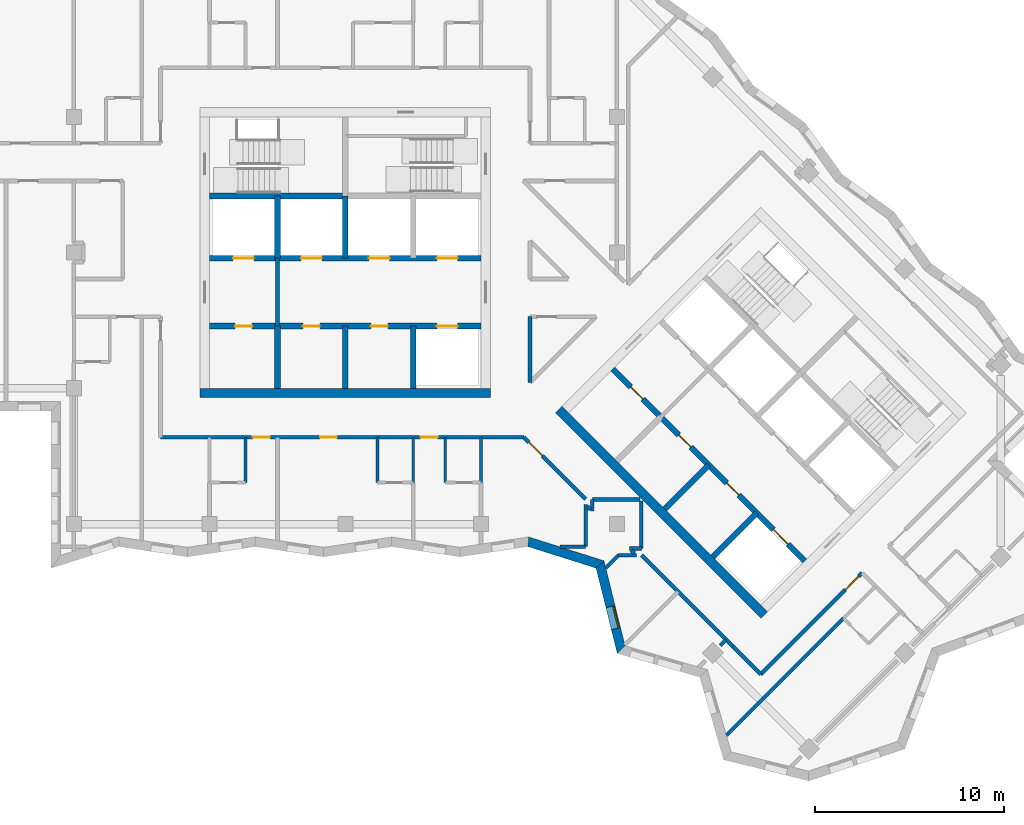
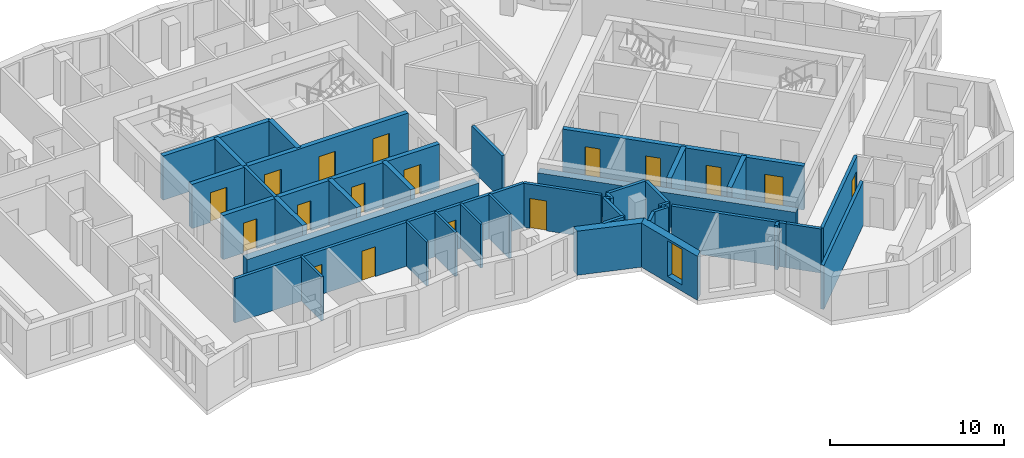
# One storey, part 4 of 13: 39 walls, 17 doors, 1 window, 18 openings.
"""IFC4 building model written with IfcOpenShell, lengths in metres."""

from ifc_helpers import new_model, si_unit, direction, frame, frame_2d, origin, place, context, subcontext, project, spatial, polyline, rectangle, outline, extrude, material, layer, layer_set, type_object, element, fill, save


model = new_model("IFC4")

# Units and contexts
model_context = context("Model", 3, precision=1e-05, world=origin(), true_north=direction((0.0, 1.0)))
body_context = subcontext(model_context, "Body", "Model", "MODEL_VIEW")
ifc_project = project(units=[si_unit("LENGTHUNIT", "METRE"), si_unit("AREAUNIT", "SQUARE_METRE"), si_unit("VOLUMEUNIT", "CUBIC_METRE"), si_unit("PLANEANGLEUNIT", "RADIAN"), si_unit("MASSUNIT", "GRAM", prefix="KILO")], contexts=[model_context])

# Site, building, storey
site_placement = place(None, origin())
site = spatial("IfcSite", under=ifc_project, at=site_placement, CompositionType="ELEMENT")
building_placement = place(site_placement, origin())
building = spatial("IfcBuilding", under=site, at=building_placement, Name="Windrow Commons", CompositionType="ELEMENT")
storey_placement = place(building_placement, frame((0.0, 0.0, 216.8)))
storey = spatial("IfcBuildingStorey", under=building, at=storey_placement, Name="L59", CompositionType="ELEMENT", Elevation=216.8)

# Wall
ifc_material_1 = material(Name="Brick masonry, red clay brick", Category="masonry")
ifc_layer_1 = layer(ifc_material_1, 0.5)
ifc_layer_set_1 = layer_set([ifc_layer_1], Name="Brick facade wall 500")
wall_type_1 = type_object("IfcWallType", Name="Brick facade wall 500", PredefinedType="SOLIDWALL", material=ifc_layer_set_1)
wall_1_placement = place(storey_placement, frame((74.5058, 42.2558, 0.0), z_axis=(0.0, 0.0, 1.0), x_axis=(0.9534878351, -0.3014314985, 0.0)))
element("IfcWall", 1, at=wall_1_placement, inside=storey, type_object=wall_type_1, Name="Brick facade wall L59 45", PredefinedType="SOLIDWALL", context=body_context, shape_type="SweptSolid", body=[
    extrude(outline(polyline([(0.0579, -0.25), (3.8464, -0.25), (4.1263, 0.25), (-0.0579, 0.25), (0.0579, -0.25)])), origin(), (0.0, 0.0, 1.0), 3.1),
])

# Wall, opening, window
wall_2_placement = place(storey_placement, frame((78.3067, 41.0542, 0.0), z_axis=(0.0, 0.0, 1.0), x_axis=(0.2414327988, -0.9704175409, 0.0)))
wall_2 = element("IfcWall", 2, at=wall_2_placement, inside=storey, type_object=wall_type_1, Name="Brick facade wall L59 46", PredefinedType="SOLIDWALL", context=body_context, shape_type="SweptSolid", body=[
    extrude(outline(polyline([(0.14, -0.25), (4.7958, -0.25), (4.5077, 0.25), (-0.14, 0.25), (0.14, -0.25)])), origin(), (0.0, 0.0, 1.0), 3.1),
])
opening_1_placement = place(wall_2_placement, frame((2.3031, 0.0, 0.45)))
opening_1 = element("IfcOpeningElement", 3, at=opening_1_placement, cuts=wall_2, Name="Opening W7E", PredefinedType="OPENING", context=body_context, shape_type="SweptSolid", body=[
    extrude(rectangle(XDim=1.2, YDim=2.5, at=frame_2d((0.6, 1.25))), frame((0.0, 0.26, 0.0), z_axis=(0.0, -1.0, 0.0), x_axis=(1.0, 0.0, 0.0)), (0.0, 0.0, 1.0), 0.52),
])
ifc_material_2 = material(Name="Clear float glass in anodised aluminium frame", Category="aluminium")
window_type = type_object("IfcWindowType", Name="Window W7 notch 1200x2500", PartitioningType="SINGLE_PANEL", PredefinedType="WINDOW", material=ifc_material_2)
window_placement = place(opening_1_placement, origin())
window = element("IfcWindow", 4, at=window_placement, inside=storey, type_object=window_type, Name="Window L59 46.1", OverallHeight=2.5, OverallWidth=1.2, PartitioningType="SINGLE_PANEL", PredefinedType="WINDOW", context=body_context, shape_type="SweptSolid", body=[
    extrude(rectangle(XDim=1.2, YDim=2.5, at=frame_2d((0.6, 1.25))), frame((0.0, 0.18, 0.0), z_axis=(0.0, -1.0, 0.0), x_axis=(1.0, 0.0, 0.0)), (0.0, 0.0, 1.0), 0.06),
])
fill(opening_1, window)

# Wall
ifc_material_3 = material(Name="Blockwork partition", Category="masonry")
ifc_layer_2 = layer(ifc_material_3, 0.2)
ifc_layer_set_2 = layer_set([ifc_layer_2], Name="Fire lobby partition 200")
wall_type_2 = type_object("IfcWallType", Name="Fire lobby partition 200", PredefinedType="PARTITIONING", material=ifc_layer_set_2)
wall_3_placement = place(storey_placement, frame((61.2, 53.7, 0.0), z_axis=(0.0, 0.0, 1.0), x_axis=(0.0, 1.0, 0.0)))
element("IfcWall", 5, at=wall_3_placement, inside=storey, type_object=wall_type_2, Name="W-core-lobby-A-L59", PredefinedType="PARTITIONING", context=body_context, shape_type="SweptSolid", body=[
    extrude(rectangle(XDim=3.6, YDim=0.2, at=frame_2d((1.8, 0.0))), origin(), (0.0, 0.0, 1.0), 3.1),
])

# Wall, openings, doors
ifc_material_4 = material(Name="Blockwork partition", Category="masonry")
ifc_layer_3 = layer(ifc_material_4, 0.2)
ifc_layer_set_3 = layer_set([ifc_layer_3], Name="IW-CORRIDOR-200")
wall_type_3 = type_object("IfcWallType", Name="IW-CORRIDOR-200", PredefinedType="PARTITIONING", material=ifc_layer_set_3)
wall_4_placement = place(storey_placement, frame((55.0, 47.8, 0.0), z_axis=(0.0, 0.0, 1.0), x_axis=(1.0, 0.0, 0.0)))
wall_4 = element("IfcWall", 6, at=wall_4_placement, inside=storey, type_object=wall_type_3, Name="W-L59-W001", PredefinedType="PARTITIONING", context=body_context, shape_type="SweptSolid", body=[
    extrude(rectangle(XDim=19.266, YDim=0.2, at=frame_2d((9.633, 0.0))), origin(), (0.0, 0.0, 1.0), 3.1),
])
opening_2_placement = place(wall_4_placement, frame((4.9, 0.0, 0.0)))
opening_2 = element("IfcOpeningElement", 7, at=opening_2_placement, cuts=wall_4, Name="Opening D109S", PredefinedType="OPENING", context=body_context, shape_type="SweptSolid", body=[
    extrude(rectangle(XDim=0.9, YDim=2.1, at=frame_2d((0.45, 1.05))), frame((0.0, 0.11, 0.0), z_axis=(0.0, -1.0, 0.0), x_axis=(1.0, 0.0, 0.0)), (0.0, 0.0, 1.0), 0.22),
])
opening_3_placement = place(wall_4_placement, frame((8.4566, 0.0, 0.0)))
opening_3 = element("IfcOpeningElement", 8, at=opening_3_placement, cuts=wall_4, Name="Opening D109F", PredefinedType="OPENING", context=body_context, shape_type="SweptSolid", body=[
    extrude(rectangle(XDim=0.9, YDim=2.1, at=frame_2d((0.45, 1.05))), frame((0.0, 0.11, 0.0), z_axis=(0.0, -1.0, 0.0), x_axis=(1.0, 0.0, 0.0)), (0.0, 0.0, 1.0), 0.22),
])
opening_4_placement = place(wall_4_placement, frame((13.8, 0.0, 0.0)))
opening_4 = element("IfcOpeningElement", 9, at=opening_4_placement, cuts=wall_4, Name="Opening D109S", PredefinedType="OPENING", context=body_context, shape_type="SweptSolid", body=[
    extrude(rectangle(XDim=0.9, YDim=2.1, at=frame_2d((0.45, 1.05))), frame((0.0, 0.11, 0.0), z_axis=(0.0, -1.0, 0.0), x_axis=(1.0, 0.0, 0.0)), (0.0, 0.0, 1.0), 0.22),
])
ifc_material_5 = material(Name="Timber door leaf", Category="wood")
door_type_1 = type_object("IfcDoorType", Name="DT-BEDROOM-900", OperationType="SINGLE_SWING_LEFT", PredefinedType="DOOR", material=ifc_material_5)
door_1_placement = place(opening_2_placement, origin())
door_1 = element("IfcDoor", 10, at=door_1_placement, inside=storey, type_object=door_type_1, Name="D-L59-D033", OperationType="SINGLE_SWING_LEFT", OverallHeight=2.1, OverallWidth=0.9, PredefinedType="DOOR", context=body_context, shape_type="SweptSolid", body=[
    extrude(rectangle(XDim=0.9, YDim=2.1, at=frame_2d((0.45, 1.05))), frame((0.0, 0.025, 0.0), z_axis=(0.0, -1.0, 0.0), x_axis=(1.0, 0.0, 0.0)), (0.0, 0.0, 1.0), 0.05),
])
fill(opening_2, door_1)
door_2_placement = place(opening_3_placement, origin())
door_2 = element("IfcDoor", 11, at=door_2_placement, inside=storey, type_object=door_type_1, Name="D-L59-D035", OperationType="SINGLE_SWING_RIGHT", OverallHeight=2.1, OverallWidth=0.9, PredefinedType="DOOR", context=body_context, shape_type="SweptSolid", body=[
    extrude(rectangle(XDim=0.9, YDim=2.1, at=frame_2d((0.45, 1.05))), frame((0.0, 0.025, 0.0), z_axis=(0.0, -1.0, 0.0), x_axis=(1.0, 0.0, 0.0)), (0.0, 0.0, 1.0), 0.05),
])
fill(opening_3, door_2)
door_3_placement = place(opening_4_placement, origin())
door_3 = element("IfcDoor", 12, at=door_3_placement, inside=storey, type_object=door_type_1, Name="D-L59-D037", OperationType="SINGLE_SWING_RIGHT", OverallHeight=2.1, OverallWidth=0.9, PredefinedType="DOOR", context=body_context, shape_type="SweptSolid", body=[
    extrude(rectangle(XDim=0.9, YDim=2.1, at=frame_2d((0.45, 1.05))), frame((0.0, 0.025, 0.0), z_axis=(0.0, -1.0, 0.0), x_axis=(1.0, 0.0, 0.0)), (0.0, 0.0, 1.0), 0.05),
])
fill(opening_4, door_3)

# Wall, opening, door
wall_5_placement = place(storey_placement, frame((86.8353, 35.2307, 0.0), z_axis=(0.0, 0.0, 1.0), x_axis=(0.7071067812, 0.7071067812, 0.0)))
wall_5 = element("IfcWall", 13, at=wall_5_placement, inside=storey, type_object=wall_type_3, Name="W-L59-W013", PredefinedType="PARTITIONING", context=body_context, shape_type="SweptSolid", body=[
    extrude(rectangle(XDim=7.6, YDim=0.2, at=frame_2d((3.8, 0.0))), origin(), (0.0, 0.0, 1.0), 3.1),
])
opening_5_placement = place(wall_5_placement, frame((6.3464, 0.0, 0.0)))
opening_5 = element("IfcOpeningElement", 14, at=opening_5_placement, cuts=wall_5, Name="Opening D310F", PredefinedType="OPENING", context=body_context, shape_type="SweptSolid", body=[
    extrude(rectangle(XDim=1.0, YDim=2.1, at=frame_2d((0.5, 1.05))), frame((0.0, 0.11, 0.0), z_axis=(0.0, -1.0, 0.0), x_axis=(1.0, 0.0, 0.0)), (0.0, 0.0, 1.0), 0.22),
])
ifc_material_6 = material(Name="Timber door leaf", Category="wood")
door_type_2 = type_object("IfcDoorType", Name="DT-AMENITY-1000", OperationType="SINGLE_SWING_LEFT", PredefinedType="DOOR", material=ifc_material_6)
door_4_placement = place(opening_5_placement, origin())
door_4 = element("IfcDoor", 15, at=door_4_placement, inside=storey, type_object=door_type_2, Name="D-L59-D046", OperationType="SINGLE_SWING_RIGHT", OverallHeight=2.1, OverallWidth=1.0, PredefinedType="DOOR", context=body_context, shape_type="SweptSolid", body=[
    extrude(rectangle(XDim=1.0, YDim=2.1, at=frame_2d((0.5, 1.05))), frame((0.0, 0.025, 0.0), z_axis=(0.0, -1.0, 0.0), x_axis=(1.0, 0.0, 0.0)), (0.0, 0.0, 1.0), 0.05),
])
fill(opening_5, door_4)

# Wall
wall_6_placement = place(storey_placement, frame((80.5215, 41.5535, 0.0), z_axis=(0.0, 0.0, 1.0), x_axis=(0.7071067812, -0.7071067812, 0.0)))
element("IfcWall", 16, at=wall_6_placement, inside=storey, type_object=wall_type_3, Name="W-L59-W017", PredefinedType="PARTITIONING", context=body_context, shape_type="SweptSolid", body=[
    extrude(rectangle(XDim=6.8363, YDim=0.2, at=frame_2d((3.4181, 0.0))), origin(), (0.0, 0.0, 1.0), 3.1),
])

# Wall, opening, door
wall_7_placement = place(storey_placement, frame((74.2715, 47.8035, 0.0), z_axis=(0.0, 0.0, 1.0), x_axis=(0.7071067812, -0.7071067812, 0.0)))
wall_7 = element("IfcWall", 17, at=wall_7_placement, inside=storey, type_object=wall_type_3, Name="W-L59-W034", PredefinedType="PARTITIONING", context=body_context, shape_type="SweptSolid", body=[
    extrude(rectangle(XDim=4.6414, YDim=0.2, at=frame_2d((2.3207, 0.0))), origin(), (0.0, 0.0, 1.0), 3.1),
])
opening_6_placement = place(wall_7_placement, frame((0.3824, 0.0, 0.0)))
opening_6 = element("IfcOpeningElement", 18, at=opening_6_placement, cuts=wall_7, Name="Opening D310F", PredefinedType="OPENING", context=body_context, shape_type="SweptSolid", body=[
    extrude(rectangle(XDim=1.0, YDim=2.1, at=frame_2d((0.5, 1.05))), frame((0.0, 0.11, 0.0), z_axis=(0.0, -1.0, 0.0), x_axis=(1.0, 0.0, 0.0)), (0.0, 0.0, 1.0), 0.22),
])
door_5_placement = place(opening_6_placement, origin())
door_5 = element("IfcDoor", 19, at=door_5_placement, inside=storey, type_object=door_type_2, Name="D-L59-D039", OperationType="SINGLE_SWING_LEFT", OverallHeight=2.1, OverallWidth=1.0, PredefinedType="DOOR", context=body_context, shape_type="SweptSolid", body=[
    extrude(rectangle(XDim=1.0, YDim=2.1, at=frame_2d((0.5, 1.05))), frame((0.0, 0.025, 0.0), z_axis=(0.0, -1.0, 0.0), x_axis=(1.0, 0.0, 0.0)), (0.0, 0.0, 1.0), 0.05),
])
fill(opening_6, door_5)

# Walls
wall_8_placement = place(storey_placement, frame((74.6, 50.714, 0.0), z_axis=(0.0, 0.0, 1.0), x_axis=(0.0, 1.0, 0.0)))
element("IfcWall", 20, at=wall_8_placement, inside=storey, type_object=wall_type_3, Name="W-L59-W046", PredefinedType="PARTITIONING", context=body_context, shape_type="SweptSolid", body=[
    extrude(rectangle(XDim=3.486, YDim=0.2, at=frame_2d((1.743, 0.0))), origin(), (0.0, 0.0, 1.0), 3.1),
])
for number, where, z_axis, x_axis, name in (
    (21, (77.902, 44.5, 0.0), (0.0, 0.0, 1.0), (1.0, 0.0, 0.0), "W-L59-W063"),
    (22, (80.5, 41.902, 0.0), (0.0, 0.0, 1.0), (0.0, 1.0, 0.0), "W-L59-W064"),
):
    element("IfcWall", number, at=place(storey_placement, frame(where, z_axis=z_axis, x_axis=x_axis)), inside=storey, type_object=wall_type_3, Name=name, PredefinedType="PARTITIONING", context=body_context, shape_type="SweptSolid", body=[
        extrude(rectangle(XDim=2.522, YDim=0.2, at=frame_2d((1.261, 0.0))), origin(), (0.0, 0.0, 1.0), 3.1),
    ])
wall_9_placement = place(storey_placement, frame((85.3532, 36.7172, 0.0), z_axis=(0.0, 0.0, 1.0), x_axis=(0.7066304548, -0.7075827869, 0.0)))
element("IfcWall", 23, at=wall_9_placement, inside=storey, type_object=wall_type_3, Name="W-L59-W099", PredefinedType="PARTITIONING", context=body_context, shape_type="SweptSolid", body=[
    extrude(rectangle(XDim=2.1001, YDim=0.2, at=frame_2d((1.05, 0.0))), origin(), (0.0, 0.0, 1.0), 3.1),
])
for number, where, z_axis, x_axis, name in (
    (24, (77.9, 43.884, 0.0), (0.0, 0.0, 1.0), (0.0, 1.0, 0.0), "W-L59-W153"),
    (25, (79.884, 41.9, 0.0), (0.0, 0.0, 1.0), (1.0, 0.0, 0.0), "W-L59-W154"),
):
    element("IfcWall", number, at=place(storey_placement, frame(where, z_axis=z_axis, x_axis=x_axis)), inside=storey, type_object=wall_type_3, Name=name, PredefinedType="PARTITIONING", context=body_context, shape_type="SweptSolid", body=[
        extrude(rectangle(XDim=0.616, YDim=0.2, at=frame_2d((0.308, 0.0))), origin(), (0.0, 0.0, 1.0), 3.1),
    ])
for number, where, z_axis, x_axis, name in (
    (26, (79.9729, 41.805, 0.0), (0.0, 0.0, 1.0), (0.707329037, -0.7068844555, 0.0), "W-L59-W164"),
    (27, (77.646, 44.132, 0.0), (0.0, 0.0, 1.0), (0.7068844555, -0.707329037, 0.0), "W-L59-W165"),
):
    element("IfcWall", number, at=place(storey_placement, frame(where, z_axis=z_axis, x_axis=x_axis)), inside=storey, type_object=wall_type_3, Name=name, PredefinedType="PARTITIONING", context=body_context, shape_type="SweptSolid", body=[
        extrude(rectangle(XDim=0.2249, YDim=0.2, at=frame_2d((0.1124, 0.0))), origin(), (0.0, 0.0, 1.0), 3.1),
    ])
ifc_material_7 = material(Name="Blockwork partition", Category="masonry")
ifc_layer_4 = layer(ifc_material_7, 0.15)
ifc_layer_set_4 = layer_set([ifc_layer_4], Name="IW-ENSUITE-150")
wall_type_4 = type_object("IfcWallType", Name="IW-ENSUITE-150", PredefinedType="PARTITIONING", material=ifc_layer_set_4)
for number, where, z_axis, x_axis, name in (
    (28, (59.5, 45.4, 0.0), (0.0, 0.0, 1.0), (0.0, 1.0, 0.0), "W-L59-W081"),
    (29, (66.5, 45.4, 0.0), (0.0, 0.0, 1.0), (0.0, 1.0, 0.0), "W-L59-W083"),
    (30, (68.4, 45.4, 0.0), (0.0, 0.0, 1.0), (0.0, 1.0, 0.0), "W-L59-W084"),
    (31, (70.1, 45.4, 0.0), (0.0, 0.0, 1.0), (0.0, 1.0, 0.0), "W-L59-W085"),
    (32, (72.0, 45.4, 0.0), (0.0, 0.0, 1.0), (0.0, 1.0, 0.0), "W-L59-W086"),
):
    element("IfcWall", number, at=place(storey_placement, frame(where, z_axis=z_axis, x_axis=x_axis)), inside=storey, type_object=wall_type_4, Name=name, PredefinedType="PARTITIONING", context=body_context, shape_type="SweptSolid", body=[
        extrude(rectangle(XDim=2.4, YDim=0.15, at=frame_2d((1.2, 0.0))), origin(), (0.0, 0.0, 1.0), 3.1),
    ])
ifc_material_8 = material(Name="Blockwork partition", Category="masonry")
ifc_layer_5 = layer(ifc_material_8, 0.2)
ifc_layer_set_5 = layer_set([ifc_layer_5], Name="IW-PARTY-200")
wall_type_5 = type_object("IfcWallType", Name="IW-PARTY-200", PredefinedType="PARTITIONING", material=ifc_layer_set_5)
wall_10_placement = place(storey_placement, frame((85.0105, 31.9916, 0.0), z_axis=(0.0, 0.0, 1.0), x_axis=(0.7071010869, 0.7071124754, 0.0)))
element("IfcWall", 33, at=wall_10_placement, inside=storey, type_object=wall_type_5, Name="W-L59-W012", PredefinedType="PARTITIONING", context=body_context, shape_type="SweptSolid", body=[
    extrude(rectangle(XDim=8.7808, YDim=0.2, at=frame_2d((4.3904, 0.0))), origin(), (0.0, 0.0, 1.0), 3.1),
])
wall_11_placement = place(storey_placement, frame((77.55, 42.0, 0.0), z_axis=(0.0, 0.0, 1.0), x_axis=(0.0, 1.0, 0.0)))
element("IfcWall", 34, at=wall_11_placement, inside=storey, type_object=wall_type_5, Name="W-L59-W097", PredefinedType="PARTITIONING", context=body_context, shape_type="SweptSolid", body=[
    extrude(rectangle(XDim=2.234, YDim=0.2, at=frame_2d((1.117, 0.0))), origin(), (0.0, 0.0, 1.0), 3.1),
])
wall_12_placement = place(storey_placement, frame((76.1944, 42.0, 0.0), z_axis=(0.0, 0.0, 1.0), x_axis=(1.0, 0.0, 0.0)))
element("IfcWall", 35, at=wall_12_placement, inside=storey, type_object=wall_type_5, Name="W-L59-W129", PredefinedType="PARTITIONING", context=body_context, shape_type="SweptSolid", body=[
    extrude(rectangle(XDim=1.3556, YDim=0.2, at=frame_2d((0.6778, 0.0))), origin(), (0.0, 0.0, 1.0), 3.1),
])
wall_13_placement = place(storey_placement, frame((79.298, 41.55, 0.0), z_axis=(0.0, 0.0, 1.0), x_axis=(1.0, 0.0, 0.0)))
element("IfcWall", 36, at=wall_13_placement, inside=storey, type_object=wall_type_5, Name="W-L59-W142", PredefinedType="PARTITIONING", context=body_context, shape_type="SweptSolid", body=[
    extrude(rectangle(XDim=0.936, YDim=0.2, at=frame_2d((0.468, 0.0))), origin(), (0.0, 0.0, 1.0), 3.1),
])
wall_14_placement = place(storey_placement, frame((78.6112, 40.8658, 0.0), z_axis=(0.0, 0.0, 1.0), x_axis=(0.7071067812, 0.7071067812, 0.0)))
element("IfcWall", 37, at=wall_14_placement, inside=storey, type_object=wall_type_5, Name="W-L59-W143", PredefinedType="PARTITIONING", context=body_context, shape_type="SweptSolid", body=[
    extrude(rectangle(XDim=0.9694, YDim=0.2, at=frame_2d((0.4847, 0.0))), origin(), (0.0, 0.0, 1.0), 3.1),
])
wall_15_placement = place(storey_placement, frame((84.6908, 36.7632, 0.0), z_axis=(0.0, 0.0, 1.0), x_axis=(0.7071067812, 0.7071067812, 0.0)))
element("IfcWall", 38, at=wall_15_placement, inside=storey, type_object=wall_type_5, Name="W-L59-W178", PredefinedType="PARTITIONING", context=body_context, shape_type="SweptSolid", body=[
    extrude(rectangle(XDim=0.4327, YDim=0.2, at=frame_2d((0.2163, 0.0))), origin(), (0.0, 0.0, 1.0), 3.1),
])
ifc_material_9 = material(Name="Concrete C40/50", Category="concrete")
ifc_layer_6 = layer(ifc_material_9, 0.5)
ifc_layer_set_6 = layer_set([ifc_layer_6], Name="RC CORE WALL 500 C40/50")
wall_type_6 = type_object("IfcWallType", Name="RC CORE WALL 500 C40/50", PredefinedType="SHEAR", material=ifc_layer_set_6)
wall_16_placement = place(storey_placement, frame((57.1, 50.15, -0.3), z_axis=(0.0, 0.0, 1.0), x_axis=(1.0, 0.0, 0.0)))
element("IfcWall", 39, at=wall_16_placement, inside=storey, type_object=wall_type_6, Name="Core A wall outer-S", PredefinedType="SHEAR", context=body_context, shape_type="SweptSolid", body=[
    extrude(rectangle(XDim=15.4, YDim=0.5, at=frame_2d((7.7, 0.0))), origin(), (0.0, 0.0, 1.0), 2.7),
])
wall_17_placement = place(storey_placement, frame((76.1241, 49.2665, -0.3), z_axis=(0.0, 0.0, 1.0), x_axis=(0.7071067812, -0.7071067812, 0.0)))
element("IfcWall", 40, at=wall_17_placement, inside=storey, type_object=wall_type_6, Name="Core B wall outer-S", PredefinedType="SHEAR", context=body_context, shape_type="SweptSolid", body=[
    extrude(rectangle(XDim=15.3999, YDim=0.5, at=frame_2d((7.7, 0.0))), origin(), (0.0, 0.0, 1.0), 2.7),
])
ifc_material_10 = material(Name="Concrete C40/50", Category="concrete")
ifc_layer_7 = layer(ifc_material_10, 0.3)
ifc_layer_set_7 = layer_set([ifc_layer_7], Name="RC SHAFT WALL 300 C40/50")
wall_type_7 = type_object("IfcWallType", Name="RC SHAFT WALL 300 C40/50", PredefinedType="SOLIDWALL", material=ifc_layer_set_7)
for number, where, z_axis, x_axis, name in (
    (41, (61.2, 50.4, 0.0), (0.0, 0.0, 1.0), (0.0, 1.0, 0.0), "Core A wall shaft-S1"),
    (42, (61.2, 57.3, 0.0), (0.0, 0.0, 1.0), (0.0, 1.0, 0.0), "Core A wall shaft-N1"),
    (43, (64.8, 50.4, 0.0), (0.0, 0.0, 1.0), (0.0, 1.0, 0.0), "Core A wall shaft-S2"),
    (44, (64.8, 57.3, 0.0), (0.0, 0.0, 1.0), (0.0, 1.0, 0.0), "Core A wall shaft-N2"),
    (45, (68.4, 50.4, 0.0), (0.0, 0.0, 1.0), (0.0, 1.0, 0.0), "Core A wall shaft-S3"),
):
    element("IfcWall", number, at=place(storey_placement, frame(where, z_axis=z_axis, x_axis=x_axis)), inside=storey, type_object=wall_type_7, Name=name, PredefinedType="SOLIDWALL", context=body_context, shape_type="SweptSolid", body=[
        extrude(rectangle(XDim=3.3, YDim=0.3, at=frame_2d((1.65, 0.0))), origin(), (0.0, 0.0, 1.0), 3.1),
    ])

# Wall, openings, doors
wall_18_placement = place(storey_placement, frame((57.6, 53.7, 0.0), z_axis=(0.0, 0.0, 1.0), x_axis=(1.0, 0.0, 0.0)))
wall_18 = element("IfcWall", 46, at=wall_18_placement, inside=storey, type_object=wall_type_7, Name="Core A wall lobby-S", PredefinedType="SOLIDWALL", context=body_context, shape_type="SweptSolid", body=[
    extrude(rectangle(XDim=14.4, YDim=0.3, at=frame_2d((7.2, 0.0))), origin(), (0.0, 0.0, 1.0), 3.1),
])
opening_7_placement = place(wall_18_placement, frame((1.35, 0.0, 0.0)))
opening_7 = element("IfcOpeningElement", 47, at=opening_7_placement, cuts=wall_18, Name="Opening D8", PredefinedType="OPENING", context=body_context, shape_type="SweptSolid", body=[
    extrude(rectangle(XDim=0.9, YDim=2.1, at=frame_2d((0.45, 1.05))), frame((0.0, 0.16, 0.0), z_axis=(0.0, -1.0, 0.0), x_axis=(1.0, 0.0, 0.0)), (0.0, 0.0, 1.0), 0.32),
])
opening_8_placement = place(wall_18_placement, frame((4.95, 0.0, 0.0)))
opening_8 = element("IfcOpeningElement", 48, at=opening_8_placement, cuts=wall_18, Name="Opening D8", PredefinedType="OPENING", context=body_context, shape_type="SweptSolid", body=[
    extrude(rectangle(XDim=0.9, YDim=2.1, at=frame_2d((0.45, 1.05))), frame((0.0, 0.16, 0.0), z_axis=(0.0, -1.0, 0.0), x_axis=(1.0, 0.0, 0.0)), (0.0, 0.0, 1.0), 0.32),
])
opening_9_placement = place(wall_18_placement, frame((8.55, 0.0, 0.0)))
opening_9 = element("IfcOpeningElement", 49, at=opening_9_placement, cuts=wall_18, Name="Opening D8", PredefinedType="OPENING", context=body_context, shape_type="SweptSolid", body=[
    extrude(rectangle(XDim=0.9, YDim=2.1, at=frame_2d((0.45, 1.05))), frame((0.0, 0.16, 0.0), z_axis=(0.0, -1.0, 0.0), x_axis=(1.0, 0.0, 0.0)), (0.0, 0.0, 1.0), 0.32),
])
opening_10_placement = place(wall_18_placement, frame((12.05, 0.0, 0.0)))
opening_10 = element("IfcOpeningElement", 50, at=opening_10_placement, cuts=wall_18, Name="Opening LD", PredefinedType="OPENING", context=body_context, shape_type="SweptSolid", body=[
    extrude(rectangle(XDim=1.1, YDim=2.1, at=frame_2d((0.55, 1.05))), frame((0.0, 0.16, 0.0), z_axis=(0.0, -1.0, 0.0), x_axis=(1.0, 0.0, 0.0)), (0.0, 0.0, 1.0), 0.32),
])
ifc_material_11 = material(Name="Steel fire door leaf", Category="steel")
door_type_3 = type_object("IfcDoorType", Name="Core store door 900", OperationType="SINGLE_SWING_LEFT", PredefinedType="DOOR", material=ifc_material_11)
door_6_placement = place(opening_7_placement, origin())
door_6 = element("IfcDoor", 51, at=door_6_placement, inside=storey, type_object=door_type_3, Name="Store door", OperationType="SINGLE_SWING_LEFT", OverallHeight=2.1, OverallWidth=0.9, PredefinedType="DOOR", context=body_context, shape_type="SweptSolid", body=[
    extrude(rectangle(XDim=0.9, YDim=2.1, at=frame_2d((0.45, 1.05))), frame((0.0, 0.025, 0.0), z_axis=(0.0, -1.0, 0.0), x_axis=(1.0, 0.0, 0.0)), (0.0, 0.0, 1.0), 0.05),
])
fill(opening_7, door_6)
door_7_placement = place(opening_8_placement, origin())
door_7 = element("IfcDoor", 52, at=door_7_placement, inside=storey, type_object=door_type_3, Name="Store door", OperationType="SINGLE_SWING_LEFT", OverallHeight=2.1, OverallWidth=0.9, PredefinedType="DOOR", context=body_context, shape_type="SweptSolid", body=[
    extrude(rectangle(XDim=0.9, YDim=2.1, at=frame_2d((0.45, 1.05))), frame((0.0, 0.025, 0.0), z_axis=(0.0, -1.0, 0.0), x_axis=(1.0, 0.0, 0.0)), (0.0, 0.0, 1.0), 0.05),
])
fill(opening_8, door_7)
door_8_placement = place(opening_9_placement, origin())
door_8 = element("IfcDoor", 53, at=door_8_placement, inside=storey, type_object=door_type_3, Name="Store door", OperationType="SINGLE_SWING_LEFT", OverallHeight=2.1, OverallWidth=0.9, PredefinedType="DOOR", context=body_context, shape_type="SweptSolid", body=[
    extrude(rectangle(XDim=0.9, YDim=2.1, at=frame_2d((0.45, 1.05))), frame((0.0, 0.025, 0.0), z_axis=(0.0, -1.0, 0.0), x_axis=(1.0, 0.0, 0.0)), (0.0, 0.0, 1.0), 0.05),
])
fill(opening_9, door_8)
ifc_material_12 = material(Name="Stainless steel door leaf", Category="steel")
door_type_4 = type_object("IfcDoorType", Name="Lift landing door 1100", OperationType="SLIDING_TO_LEFT", PredefinedType="DOOR", material=ifc_material_12)
door_9_placement = place(opening_10_placement, origin())
door_9 = element("IfcDoor", 54, at=door_9_placement, inside=storey, type_object=door_type_4, Name="Lift landing door", OperationType="SLIDING_TO_RIGHT", OverallHeight=2.1, OverallWidth=1.1, PredefinedType="DOOR", context=body_context, shape_type="SweptSolid", body=[
    extrude(rectangle(XDim=1.1, YDim=2.1, at=frame_2d((0.55, 1.05))), frame((0.0, 0.025, 0.0), z_axis=(0.0, -1.0, 0.0), x_axis=(1.0, 0.0, 0.0)), (0.0, 0.0, 1.0), 0.05),
])
fill(opening_10, door_9)

wall_19_placement = place(storey_placement, frame((57.6, 57.3, 0.0), z_axis=(0.0, 0.0, 1.0), x_axis=(1.0, 0.0, 0.0)))
wall_19 = element("IfcWall", 55, at=wall_19_placement, inside=storey, type_object=wall_type_7, Name="Core A wall lobby-N", PredefinedType="SOLIDWALL", context=body_context, shape_type="SweptSolid", body=[
    extrude(rectangle(XDim=14.4, YDim=0.3, at=frame_2d((7.2, 0.0))), origin(), (0.0, 0.0, 1.0), 3.1),
])
opening_11_placement = place(wall_19_placement, frame((1.25, 0.0, 0.0)))
opening_11 = element("IfcOpeningElement", 56, at=opening_11_placement, cuts=wall_19, Name="Opening LD", PredefinedType="OPENING", context=body_context, shape_type="SweptSolid", body=[
    extrude(rectangle(XDim=1.1, YDim=2.1, at=frame_2d((0.55, 1.05))), frame((0.0, 0.16, 0.0), z_axis=(0.0, -1.0, 0.0), x_axis=(1.0, 0.0, 0.0)), (0.0, 0.0, 1.0), 0.32),
])
opening_12_placement = place(wall_19_placement, frame((4.85, 0.0, 0.0)))
opening_12 = element("IfcOpeningElement", 57, at=opening_12_placement, cuts=wall_19, Name="Opening LD", PredefinedType="OPENING", context=body_context, shape_type="SweptSolid", body=[
    extrude(rectangle(XDim=1.1, YDim=2.1, at=frame_2d((0.55, 1.05))), frame((0.0, 0.16, 0.0), z_axis=(0.0, -1.0, 0.0), x_axis=(1.0, 0.0, 0.0)), (0.0, 0.0, 1.0), 0.32),
])
opening_13_placement = place(wall_19_placement, frame((8.45, 0.0, 0.0)))
opening_13 = element("IfcOpeningElement", 58, at=opening_13_placement, cuts=wall_19, Name="Opening LD", PredefinedType="OPENING", context=body_context, shape_type="SweptSolid", body=[
    extrude(rectangle(XDim=1.1, YDim=2.1, at=frame_2d((0.55, 1.05))), frame((0.0, 0.16, 0.0), z_axis=(0.0, -1.0, 0.0), x_axis=(1.0, 0.0, 0.0)), (0.0, 0.0, 1.0), 0.32),
])
opening_14_placement = place(wall_19_placement, frame((12.05, 0.0, 0.0)))
opening_14 = element("IfcOpeningElement", 59, at=opening_14_placement, cuts=wall_19, Name="Opening LD", PredefinedType="OPENING", context=body_context, shape_type="SweptSolid", body=[
    extrude(rectangle(XDim=1.1, YDim=2.1, at=frame_2d((0.55, 1.05))), frame((0.0, 0.16, 0.0), z_axis=(0.0, -1.0, 0.0), x_axis=(1.0, 0.0, 0.0)), (0.0, 0.0, 1.0), 0.32),
])
door_10_placement = place(opening_11_placement, origin())
door_10 = element("IfcDoor", 60, at=door_10_placement, inside=storey, type_object=door_type_4, Name="Lift landing door", OperationType="SLIDING_TO_LEFT", OverallHeight=2.1, OverallWidth=1.1, PredefinedType="DOOR", context=body_context, shape_type="SweptSolid", body=[
    extrude(rectangle(XDim=1.1, YDim=2.1, at=frame_2d((0.55, 1.05))), frame((0.0, 0.025, 0.0), z_axis=(0.0, -1.0, 0.0), x_axis=(1.0, 0.0, 0.0)), (0.0, 0.0, 1.0), 0.05),
])
fill(opening_11, door_10)
door_11_placement = place(opening_12_placement, origin())
door_11 = element("IfcDoor", 61, at=door_11_placement, inside=storey, type_object=door_type_4, Name="Lift landing door", OperationType="SLIDING_TO_RIGHT", OverallHeight=2.1, OverallWidth=1.1, PredefinedType="DOOR", context=body_context, shape_type="SweptSolid", body=[
    extrude(rectangle(XDim=1.1, YDim=2.1, at=frame_2d((0.55, 1.05))), frame((0.0, 0.025, 0.0), z_axis=(0.0, -1.0, 0.0), x_axis=(1.0, 0.0, 0.0)), (0.0, 0.0, 1.0), 0.05),
])
fill(opening_12, door_11)
door_12_placement = place(opening_13_placement, origin())
door_12 = element("IfcDoor", 62, at=door_12_placement, inside=storey, type_object=door_type_4, Name="Lift landing door", OperationType="SLIDING_TO_LEFT", OverallHeight=2.1, OverallWidth=1.1, PredefinedType="DOOR", context=body_context, shape_type="SweptSolid", body=[
    extrude(rectangle(XDim=1.1, YDim=2.1, at=frame_2d((0.55, 1.05))), frame((0.0, 0.025, 0.0), z_axis=(0.0, -1.0, 0.0), x_axis=(1.0, 0.0, 0.0)), (0.0, 0.0, 1.0), 0.05),
])
fill(opening_13, door_12)
door_13_placement = place(opening_14_placement, origin())
door_13 = element("IfcDoor", 63, at=door_13_placement, inside=storey, type_object=door_type_4, Name="Lift landing door", OperationType="SLIDING_TO_RIGHT", OverallHeight=2.1, OverallWidth=1.1, PredefinedType="DOOR", context=body_context, shape_type="SweptSolid", body=[
    extrude(rectangle(XDim=1.1, YDim=2.1, at=frame_2d((0.55, 1.05))), frame((0.0, 0.025, 0.0), z_axis=(0.0, -1.0, 0.0), x_axis=(1.0, 0.0, 0.0)), (0.0, 0.0, 1.0), 0.05),
])
fill(opening_14, door_13)

# Walls
wall_20_placement = place(storey_placement, frame((57.6, 60.6, 0.0), z_axis=(0.0, 0.0, 1.0), x_axis=(1.0, 0.0, 0.0)))
element("IfcWall", 64, at=wall_20_placement, inside=storey, type_object=wall_type_7, Name="Core A wall stair-S", PredefinedType="SOLIDWALL", context=body_context, shape_type="SweptSolid", body=[
    extrude(rectangle(XDim=7.2, YDim=0.3, at=frame_2d((3.6, 0.0))), origin(), (0.0, 0.0, 1.0), 3.1),
])
for number, where, z_axis, x_axis, name in (
    (65, (81.7456, 43.9986, 0.0), (0.0, 0.0, 1.0), (0.7071067812, 0.7071067812, 0.0), "Core B wall shaft-S2"),
    (66, (84.2912, 41.453, 0.0), (0.0, 0.0, 1.0), (0.7071067812, 0.7071067812, 0.0), "Core B wall shaft-S3"),
):
    element("IfcWall", number, at=place(storey_placement, frame(where, z_axis=z_axis, x_axis=x_axis)), inside=storey, type_object=wall_type_7, Name=name, PredefinedType="SOLIDWALL", context=body_context, shape_type="SweptSolid", body=[
        extrude(rectangle(XDim=3.2999, YDim=0.3, at=frame_2d((1.65, 0.0))), origin(), (0.0, 0.0, 1.0), 3.1),
    ])

# Wall, openings, doors
wall_21_placement = place(storey_placement, frame((78.9879, 51.4232, 0.0), z_axis=(0.0, 0.0, 1.0), x_axis=(0.7071067812, -0.7071067812, 0.0)))
wall_21 = element("IfcWall", 67, at=wall_21_placement, inside=storey, type_object=wall_type_7, Name="Core B wall lobby-S", PredefinedType="SOLIDWALL", context=body_context, shape_type="SweptSolid", body=[
    extrude(rectangle(XDim=14.3999, YDim=0.3, at=frame_2d((7.2, 0.0))), origin(), (0.0, 0.0, 1.0), 3.1),
])
opening_15_placement = place(wall_21_placement, frame((1.35, 0.0, 0.0)))
opening_15 = element("IfcOpeningElement", 68, at=opening_15_placement, cuts=wall_21, Name="Opening D8", PredefinedType="OPENING", context=body_context, shape_type="SweptSolid", body=[
    extrude(rectangle(XDim=0.9, YDim=2.1, at=frame_2d((0.45, 1.05))), frame((0.0, 0.16, 0.0), z_axis=(0.0, -1.0, 0.0), x_axis=(1.0, 0.0, 0.0)), (0.0, 0.0, 1.0), 0.32),
])
opening_16_placement = place(wall_21_placement, frame((4.95, 0.0, 0.0)))
opening_16 = element("IfcOpeningElement", 69, at=opening_16_placement, cuts=wall_21, Name="Opening D8", PredefinedType="OPENING", context=body_context, shape_type="SweptSolid", body=[
    extrude(rectangle(XDim=0.9, YDim=2.1, at=frame_2d((0.45, 1.05))), frame((0.0, 0.16, 0.0), z_axis=(0.0, -1.0, 0.0), x_axis=(1.0, 0.0, 0.0)), (0.0, 0.0, 1.0), 0.32),
])
opening_17_placement = place(wall_21_placement, frame((8.55, 0.0, 0.0)))
opening_17 = element("IfcOpeningElement", 70, at=opening_17_placement, cuts=wall_21, Name="Opening D8", PredefinedType="OPENING", context=body_context, shape_type="SweptSolid", body=[
    extrude(rectangle(XDim=0.9, YDim=2.1, at=frame_2d((0.45, 1.05))), frame((0.0, 0.16, 0.0), z_axis=(0.0, -1.0, 0.0), x_axis=(1.0, 0.0, 0.0)), (0.0, 0.0, 1.0), 0.32),
])
opening_18_placement = place(wall_21_placement, frame((12.05, 0.0, 0.0)))
opening_18 = element("IfcOpeningElement", 71, at=opening_18_placement, cuts=wall_21, Name="Opening LD", PredefinedType="OPENING", context=body_context, shape_type="SweptSolid", body=[
    extrude(rectangle(XDim=1.1, YDim=2.1, at=frame_2d((0.55, 1.05))), frame((0.0, 0.16, 0.0), z_axis=(0.0, -1.0, 0.0), x_axis=(1.0, 0.0, 0.0)), (0.0, 0.0, 1.0), 0.32),
])
door_14_placement = place(opening_15_placement, origin())
door_14 = element("IfcDoor", 72, at=door_14_placement, inside=storey, type_object=door_type_3, Name="Store door", OperationType="SINGLE_SWING_LEFT", OverallHeight=2.1, OverallWidth=0.9, PredefinedType="DOOR", context=body_context, shape_type="SweptSolid", body=[
    extrude(rectangle(XDim=0.9, YDim=2.1, at=frame_2d((0.45, 1.05))), frame((0.0, 0.025, 0.0), z_axis=(0.0, -1.0, 0.0), x_axis=(1.0, 0.0, 0.0)), (0.0, 0.0, 1.0), 0.05),
])
fill(opening_15, door_14)
door_15_placement = place(opening_16_placement, origin())
door_15 = element("IfcDoor", 73, at=door_15_placement, inside=storey, type_object=door_type_3, Name="Store door", OperationType="SINGLE_SWING_LEFT", OverallHeight=2.1, OverallWidth=0.9, PredefinedType="DOOR", context=body_context, shape_type="SweptSolid", body=[
    extrude(rectangle(XDim=0.9, YDim=2.1, at=frame_2d((0.45, 1.05))), frame((0.0, 0.025, 0.0), z_axis=(0.0, -1.0, 0.0), x_axis=(1.0, 0.0, 0.0)), (0.0, 0.0, 1.0), 0.05),
])
fill(opening_16, door_15)
door_16_placement = place(opening_17_placement, origin())
door_16 = element("IfcDoor", 74, at=door_16_placement, inside=storey, type_object=door_type_3, Name="Store door", OperationType="SINGLE_SWING_LEFT", OverallHeight=2.1, OverallWidth=0.9, PredefinedType="DOOR", context=body_context, shape_type="SweptSolid", body=[
    extrude(rectangle(XDim=0.9, YDim=2.1, at=frame_2d((0.45, 1.05))), frame((0.0, 0.025, 0.0), z_axis=(0.0, -1.0, 0.0), x_axis=(1.0, 0.0, 0.0)), (0.0, 0.0, 1.0), 0.05),
])
fill(opening_17, door_16)
door_17_placement = place(opening_18_placement, origin())
door_17 = element("IfcDoor", 75, at=door_17_placement, inside=storey, type_object=door_type_4, Name="Lift landing door", OperationType="SLIDING_TO_RIGHT", OverallHeight=2.1, OverallWidth=1.1, PredefinedType="DOOR", context=body_context, shape_type="SweptSolid", body=[
    extrude(rectangle(XDim=1.1, YDim=2.1, at=frame_2d((0.55, 1.05))), frame((0.0, 0.025, 0.0), z_axis=(0.0, -1.0, 0.0), x_axis=(1.0, 0.0, 0.0)), (0.0, 0.0, 1.0), 0.05),
])
fill(opening_18, door_17)

save(model, "model.ifc")
